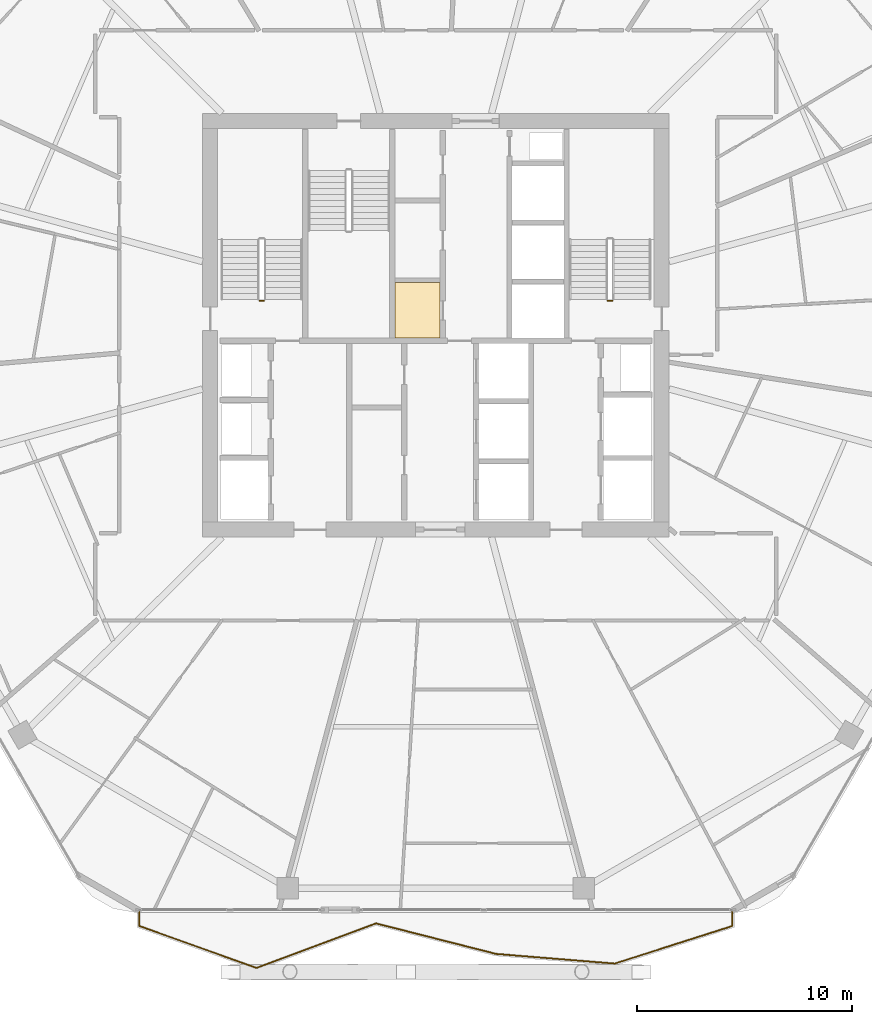
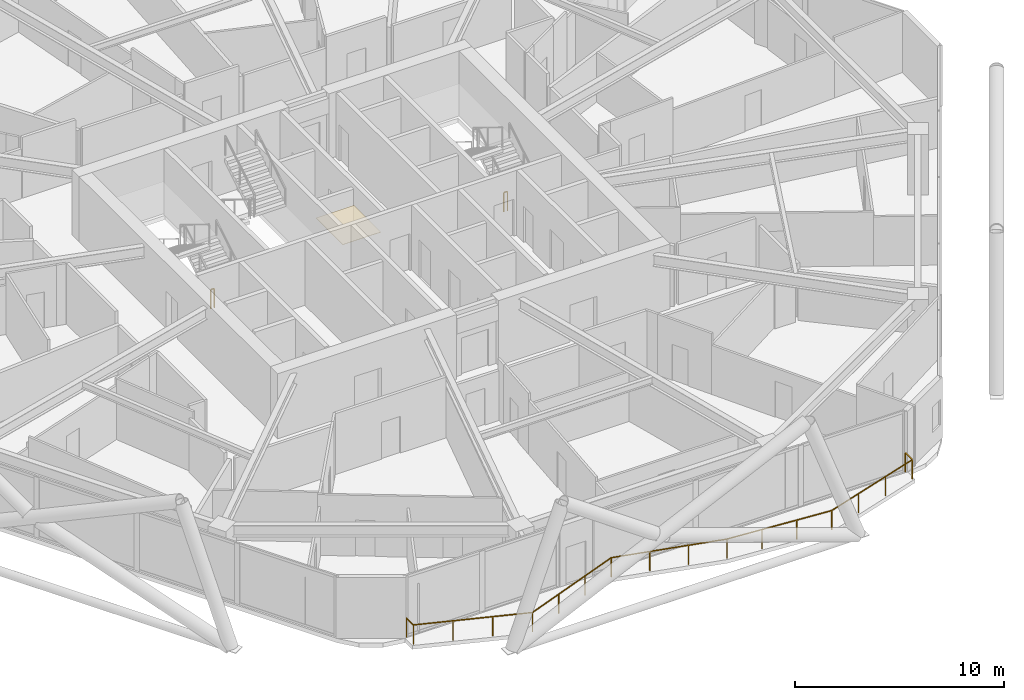
# One storey, part 27 of 29: 3 railings, 1 covering.
"""IFC4 building model written with IfcOpenShell, lengths in metres."""

from ifc_helpers import new_model, si_unit, direction, frame, origin, origin_2d, place, context, subcontext, project, spatial, polyline, rectangle, outline, extrude, material, layer, layer_set, type_object, element, save


model = new_model("IFC4")

# Units and contexts
model_context = context("Model", 3, precision=1e-05, world=origin(), true_north=direction((0.0, 1.0)))
body_context = subcontext(model_context, "Body", "Model", "MODEL_VIEW")
ifc_project = project(units=[si_unit("LENGTHUNIT", "METRE"), si_unit("AREAUNIT", "SQUARE_METRE"), si_unit("VOLUMEUNIT", "CUBIC_METRE"), si_unit("PLANEANGLEUNIT", "RADIAN"), si_unit("MASSUNIT", "GRAM", prefix="KILO")], contexts=[model_context])

# Site, building, storey
site_placement = place(None, origin())
site = spatial("IfcSite", under=ifc_project, at=site_placement, CompositionType="ELEMENT")
building_placement = place(site_placement, origin())
building = spatial("IfcBuilding", under=site, at=building_placement, Name="Zuhravey Tower", CompositionType="ELEMENT")
storey_placement = place(building_placement, frame((0.0, 0.0, 161.800048828125)))
storey = spatial("IfcBuildingStorey", under=building, at=storey_placement, Name="L40", CompositionType="ELEMENT", Elevation=161.800048828125)

# Railing
ifc_material_1 = material(Name="Stainless steel 316 and laminated glass", Category="steel")
railing_type_1 = type_object("IfcRailingType", Name="Balcony & Terrace Guardrail 1150", PredefinedType="BALUSTRADE", material=ifc_material_1)
railing_placement = place(storey_placement, frame((49.7900390625, 4.73193359375, 0.0)))
element("IfcRailing", 1, at=railing_placement, inside=storey, type_object=railing_type_1, Name="L40 Face 5 Wave Balcony Guardrail GR1", PredefinedType="BALUSTRADE", context=body_context, shape_type="SweptSolid", body=[
    extrude(rectangle(XDim=0.048095703125, YDim=0.048095703125, at=origin_2d()), frame((0.0, -0.001953125, 1.1259765625), z_axis=(0.0, -1.0, 0.0), x_axis=(1.0, 0.0, 0.0)), (0.0, 0.0, 1.0), 0.6630859375),
    extrude(rectangle(XDim=0.048095703125, YDim=0.048095703125, at=origin_2d()), frame((-0.001953125, -0.66748046875, 1.1259765625), z_axis=(-0.952416739993, -0.304798873656, 0.0), x_axis=(0.304798873656, -0.952416739993, 0.0)), (0.0, 0.0, 1.0), 5.736572265625),
    extrude(rectangle(XDim=0.048095703125, YDim=0.048095703125, at=origin_2d()), frame((-5.469482421875, -2.41650390625, 1.1259765625), z_axis=(-0.996707450676, 0.081081796765, 0.0), x_axis=(-0.081081796765, -0.996707450676, 0.0)), (0.0, 0.0, 1.0), 5.542236328125),
    extrude(rectangle(XDim=0.048095703125, YDim=0.048095703125, at=origin_2d()), frame((-10.99755859375, -1.966552734375, 1.1259765625), z_axis=(-0.969065273346, 0.246804570448, 0.0), x_axis=(-0.246804570448, -0.969065273346, 0.0)), (0.0, 0.0, 1.0), 5.752197265625),
    extrude(rectangle(XDim=0.048095703125, YDim=0.048095703125, at=origin_2d()), frame((-16.57568359375, -0.547119140625, 1.1259765625), z_axis=(-0.936766974551, -0.349953761791, 0.0), x_axis=(0.349953761791, -0.936766974551, 0.0)), (0.0, 0.0, 1.0), 5.921630859375),
    extrude(rectangle(XDim=0.048095703125, YDim=0.048095703125, at=origin_2d()), frame((-22.126708984375, -2.619384765625, 1.1259765625), z_axis=(-0.941626494562, 0.336659389799, 0.0), x_axis=(-0.336659389799, -0.941626494562, 0.0)), (0.0, 0.0, 1.0), 5.78955078125),
    extrude(rectangle(XDim=0.048095703125, YDim=0.048095703125, at=origin_2d()), frame((-27.580078125, -0.667724609375, 1.1259765625), z_axis=(0.0, 1.0, 0.0), x_axis=(-1.0, 0.0, 0.0)), (0.0, 0.0, 1.0), 0.665771484375),
    extrude(rectangle(XDim=0.0419921875, YDim=0.0419921875, at=origin_2d()), origin(), (0.0, 0.0, 1.0), 1.099853515625),
    extrude(rectangle(XDim=0.0419921875, YDim=0.0419921875, at=origin_2d()), frame((0.0, -0.6669921875, 0.0)), (0.0, 0.0, 1.0), 1.099853515625),
    extrude(rectangle(XDim=0.0419921875, YDim=0.0419921875, at=origin_2d()), frame((-1.822509765625, -1.250244140625, 0.0)), (0.0, 0.0, 1.0), 1.099853515625),
    extrude(rectangle(XDim=0.0419921875, YDim=0.0419921875, at=origin_2d()), frame((-3.64501953125, -1.83349609375, 0.0)), (0.0, 0.0, 1.0), 1.099853515625),
    extrude(rectangle(XDim=0.0419921875, YDim=0.0419921875, at=origin_2d()), frame((-5.467529296875, -2.416748046875, 0.0)), (0.0, 0.0, 1.0), 1.099853515625),
    extrude(rectangle(XDim=0.0419921875, YDim=0.0419921875, at=origin_2d()), frame((-7.310302734375, -2.266845703125, 0.0)), (0.0, 0.0, 1.0), 1.099853515625),
    extrude(rectangle(XDim=0.0419921875, YDim=0.0419921875, at=origin_2d()), frame((-9.15283203125, -2.116943359375, 0.0)), (0.0, 0.0, 1.0), 1.099853515625),
    extrude(rectangle(XDim=0.0419921875, YDim=0.0419921875, at=origin_2d()), frame((-10.99560546875, -1.967041015625, 0.0)), (0.0, 0.0, 1.0), 1.099853515625),
    extrude(rectangle(XDim=0.0419921875, YDim=0.0419921875, at=origin_2d()), frame((-12.85498046875, -1.493408203125, 0.0)), (0.0, 0.0, 1.0), 1.099853515625),
    extrude(rectangle(XDim=0.0419921875, YDim=0.0419921875, at=origin_2d()), frame((-14.71435546875, -1.02001953125, 0.0)), (0.0, 0.0, 1.0), 1.099853515625),
    extrude(rectangle(XDim=0.0419921875, YDim=0.0419921875, at=origin_2d()), frame((-16.57373046875, -0.54638671875, 0.0)), (0.0, 0.0, 1.0), 1.099853515625),
    extrude(rectangle(XDim=0.0419921875, YDim=0.0419921875, at=origin_2d()), frame((-18.424072265625, -1.237548828125, 0.0)), (0.0, 0.0, 1.0), 1.099853515625),
    extrude(rectangle(XDim=0.0419921875, YDim=0.0419921875, at=origin_2d()), frame((-20.2744140625, -1.928955078125, 0.0)), (0.0, 0.0, 1.0), 1.099853515625),
    extrude(rectangle(XDim=0.0419921875, YDim=0.0419921875, at=origin_2d()), frame((-22.124755859375, -2.6201171875, 0.0)), (0.0, 0.0, 1.0), 1.099853515625),
    extrude(rectangle(XDim=0.0419921875, YDim=0.0419921875, at=origin_2d()), frame((-23.943115234375, -1.969970703125, 0.0)), (0.0, 0.0, 1.0), 1.099853515625),
    extrude(rectangle(XDim=0.0419921875, YDim=0.0419921875, at=origin_2d()), frame((-25.76171875, -1.31982421875, 0.0)), (0.0, 0.0, 1.0), 1.099853515625),
    extrude(rectangle(XDim=0.0419921875, YDim=0.0419921875, at=origin_2d()), frame((-27.580078125, -0.669677734375, 0.0)), (0.0, 0.0, 1.0), 1.099853515625),
    extrude(rectangle(XDim=0.0419921875, YDim=0.0419921875, at=origin_2d()), frame((-27.580078125, 0.0, 0.0)), (0.0, 0.0, 1.0), 1.099853515625),
])

# Covering
ifc_material_2 = material(Name="Moisture-resistant gypsum ceiling board")
ifc_layer = layer(ifc_material_2, 0.02001953125)
ifc_layer_set = layer_set([ifc_layer], Name="Moisture-resistant gypsum ceiling board")
covering_type = type_object("IfcCoveringType", Name="Moisture-Resistant Ceiling", PredefinedType="CEILING", material=ifc_layer_set)
covering_placement = place(storey_placement, frame((0.0, 0.0, 2.58984375)))
element("IfcCovering", 2, at=covering_placement, inside=storey, type_object=covering_type, Name="L40 Wet-Room Ceiling CLG2", PredefinedType="CEILING", context=body_context, shape_type="SweptSolid", body=[
    extrude(outline(polyline([(36.199951171875, 31.39990234375), (36.199951171875, 33.97998046875), (34.10009765625, 33.97998046875), (34.10009765625, 31.39990234375), (36.199951171875, 31.39990234375)])), origin(), (0.0, 0.0, 1.0), 0.02001953125),
])

# Railings
ifc_material_3 = material(Name="Painted tubular steel", Category="steel")
railing_type_2 = type_object("IfcRailingType", Name="Stair Well Guardrail 1150", PredefinedType="GUARDRAIL", material=ifc_material_3)
for number, where, name in (
    (3, (28.0, 33.14990234375, 0.0), "L40 ST1 stair guard 4"),
    (4, (44.199951171875, 33.14990234375, 0.0), "L40 ST2 stair guard 4"),
):
    element("IfcRailing", number, at=place(storey_placement, frame(where)), inside=storey, type_object=railing_type_2, Name=name, PredefinedType="GUARDRAIL", context=body_context, shape_type="SweptSolid", body=[
        extrude(rectangle(XDim=0.048095703125, YDim=0.048095703125, at=origin_2d()), frame((-0.001953125, 0.0, 1.1259765625), z_axis=(-1.0, 0.0, 0.0), x_axis=(0.0, -1.0, 0.0)), (0.0, 0.0, 1.0), 0.196044921875),
        extrude(rectangle(XDim=0.0419921875, YDim=0.0419921875, at=origin_2d()), origin(), (0.0, 0.0, 1.0), 1.099853515625),
        extrude(rectangle(XDim=0.0419921875, YDim=0.0419921875, at=origin_2d()), frame((-0.199951171875, 0.0, 0.0)), (0.0, 0.0, 1.0), 1.099853515625),
    ])

save(model, "model.ifc")
